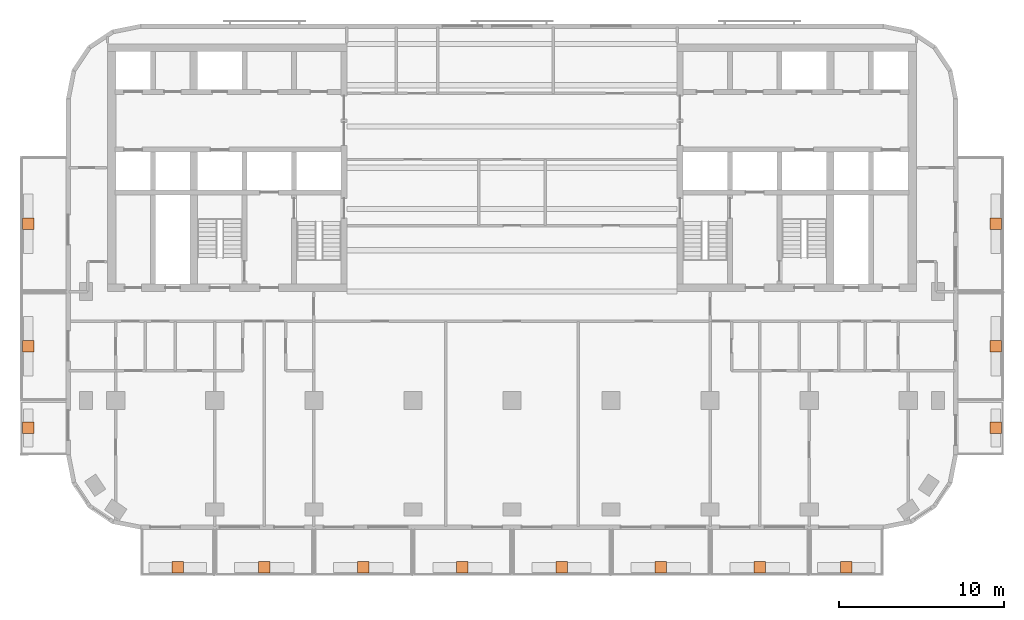
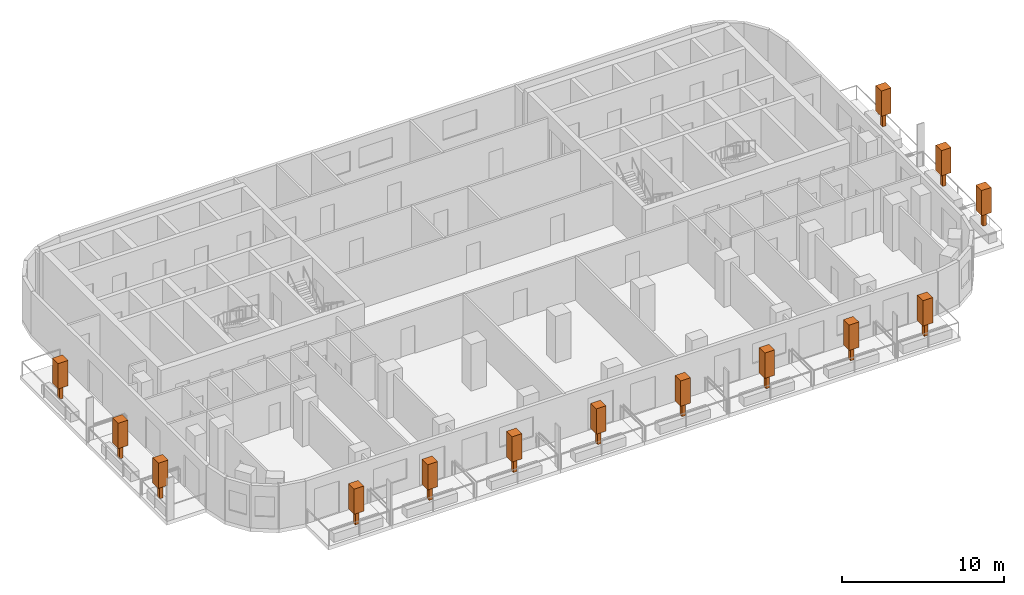
# One storey, part 11 of 11: 14 geographic elements.
"""IFC4 building model written with IfcOpenShell, lengths in metres."""

from ifc_helpers import new_model, si_unit, direction, frame, origin, origin_2d, place, context, subcontext, project, spatial, rectangle, extrude, material, element, save


model = new_model("IFC4")

# Units and contexts
model_context = context("Model", 3, precision=1e-05, world=origin(), true_north=direction((0.0, 1.0)))
body_context = subcontext(model_context, "Body", "Model", "MODEL_VIEW")
ifc_project = project(units=[si_unit("LENGTHUNIT", "METRE"), si_unit("AREAUNIT", "SQUARE_METRE"), si_unit("VOLUMEUNIT", "CUBIC_METRE"), si_unit("PLANEANGLEUNIT", "RADIAN"), si_unit("MASSUNIT", "GRAM", prefix="KILO")], contexts=[model_context])

# Site, building, storey
site_placement = place(None, origin())
site = spatial("IfcSite", under=ifc_project, at=site_placement, CompositionType="ELEMENT")
building_placement = place(site_placement, origin())
building = spatial("IfcBuilding", under=site, at=building_placement, Name="Torana Hotel and Residences", CompositionType="ELEMENT")
storey_placement = place(building_placement, frame((0.0, 0.0, 190.60009765625)))
storey = spatial("IfcBuildingStorey", under=building, at=storey_placement, Name="L49", CompositionType="ELEMENT", Elevation=190.60009765625)

# Geographic elements
ifc_material = material(Name="Foliage", Category="planting")
for number, where, z_axis, x_axis, name in (
    (1, (-20.25, -31.699951171875, 0.64990234375), (0.0, 0.0, 1.0), (1.0, 0.0, 0.0), "Tree 01"),
    (2, (-15.0, -31.699951171875, 0.64990234375), (0.0, 0.0, 1.0), (1.0, 0.0, 0.0), "Tree 02"),
    (3, (-9.0, -31.699951171875, 0.64990234375), (0.0, 0.0, 1.0), (1.0, 0.0, 0.0), "Tree 03"),
    (4, (-3.0, -31.699951171875, 0.64990234375), (0.0, 0.0, 1.0), (1.0, 0.0, 0.0), "Tree 04"),
    (5, (3.0, -31.699951171875, 0.64990234375), (0.0, 0.0, 1.0), (1.0, 0.0, 0.0), "Tree 05"),
    (6, (9.0, -31.699951171875, 0.64990234375), (0.0, 0.0, 1.0), (1.0, 0.0, 0.0), "Tree 06"),
    (7, (15.0, -31.699951171875, 0.64990234375), (0.0, 0.0, 1.0), (1.0, 0.0, 0.0), "Tree 07"),
    (8, (20.25, -31.699951171875, 0.64990234375), (0.0, 0.0, 1.0), (1.0, 0.0, 0.0), "Tree 08"),
    (9, (-29.300048828125, -23.25, 0.64990234375), (0.0, 0.0, 1.0), (1.0, 0.0, 0.0), "Tree 09"),
    (10, (-29.300048828125, -18.300048828125, 0.64990234375), (0.0, 0.0, 1.0), (1.0, 0.0, 0.0), "Tree 10"),
    (11, (-29.300048828125, -10.89990234375, 0.64990234375), (0.0, 0.0, 1.0), (1.0, 0.0, 0.0), "Tree 11"),
    (12, (29.300048828125, -23.25, 0.64990234375), (0.0, 0.0, 1.0), (1.0, 0.0, 0.0), "Tree 12"),
    (13, (29.300048828125, -18.300048828125, 0.64990234375), (0.0, 0.0, 1.0), (1.0, 0.0, 0.0), "Tree 13"),
    (14, (29.300048828125, -10.89990234375, 0.64990234375), (0.0, 0.0, 1.0), (1.0, 0.0, 0.0), "Tree 14"),
):
    element("IfcGeographicElement", number, at=place(storey_placement, frame(where, z_axis=z_axis, x_axis=x_axis)), inside=storey, material=ifc_material, Name=name, ObjectType="TREE", PredefinedType="USERDEFINED", context=body_context, shape_type="SweptSolid", body=[
        extrude(rectangle(XDim=0.25, YDim=0.25, at=origin_2d()), origin(), (0.0, 0.0, 1.0), 1.0),
        extrude(rectangle(XDim=0.699951171875, YDim=0.699951171875, at=origin_2d()), frame((0.0, 0.0, 1.0)), (0.0, 0.0, 1.0), 1.89990234375),
    ])

save(model, "model.ifc")
